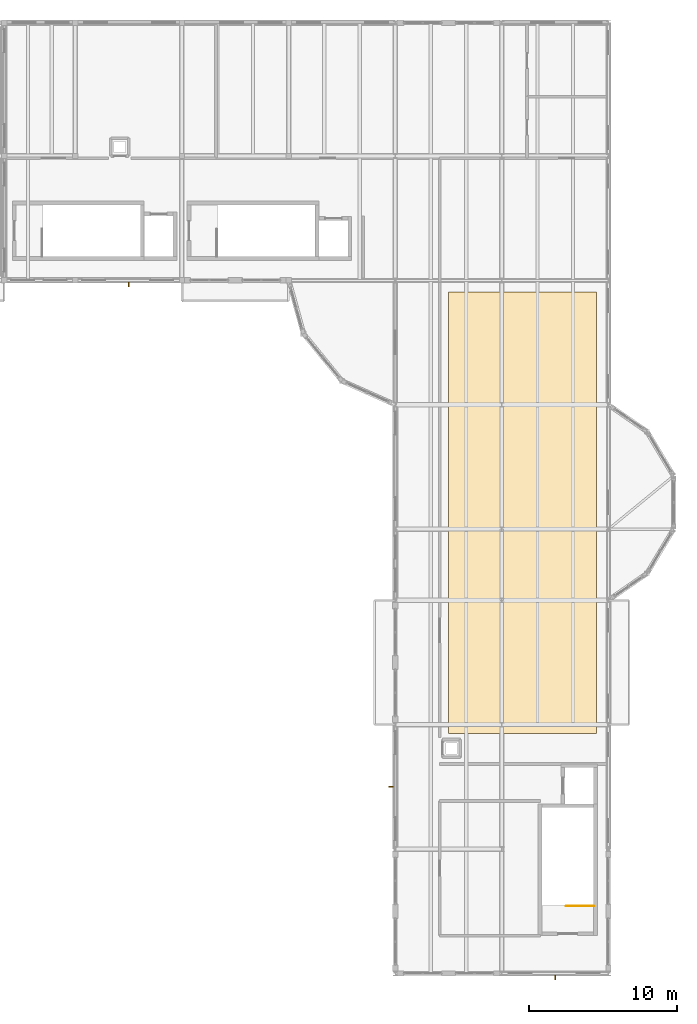
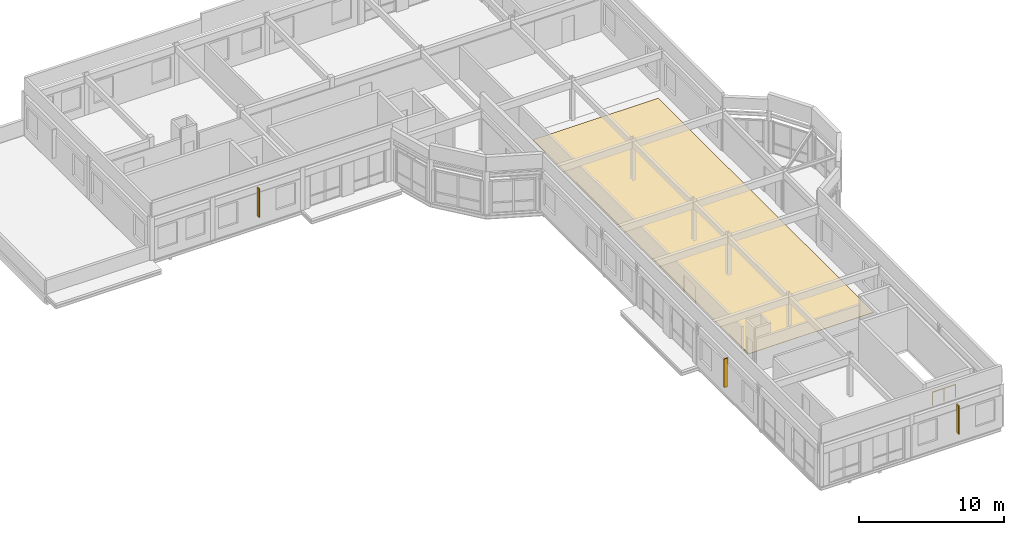
# One storey, part 20 of 21: 3 shading devices, 1 covering, 1 railing.
"""IFC4 building model written with IfcOpenShell, lengths in metres."""

from ifc_helpers import new_model, si_unit, direction, frame, origin, origin_2d, place, context, subcontext, project, spatial, polyline, rectangle, circle, outline, extrude, material, layer, layer_set, type_object, element, save


model = new_model("IFC4")

# Units and contexts
model_context = context("Model", 3, precision=1e-05, world=origin(), true_north=direction((0.0, 1.0)))
body_context = subcontext(model_context, "Body", "Model", "MODEL_VIEW")
ifc_project = project(units=[si_unit("LENGTHUNIT", "METRE"), si_unit("AREAUNIT", "SQUARE_METRE"), si_unit("VOLUMEUNIT", "CUBIC_METRE"), si_unit("PLANEANGLEUNIT", "RADIAN"), si_unit("MASSUNIT", "GRAM", prefix="KILO")], contexts=[model_context])

# Site, building, storey
site_placement = place(None, origin())
site = spatial("IfcSite", under=ifc_project, at=site_placement, CompositionType="ELEMENT")
building_placement = place(site_placement, origin())
building = spatial("IfcBuilding", under=site, at=building_placement, Name="Kahlenmark Community Centre", CompositionType="ELEMENT")
storey_placement = place(building_placement, frame((0.0, 0.0, 21.60009765625)))
storey = spatial("IfcBuildingStorey", under=building, at=storey_placement, Name="L05", CompositionType="ELEMENT", Elevation=21.60009765625)

# Covering
ifc_material_1 = material(Name="Oiled European oak parquet flooring")
ifc_layer = layer(ifc_material_1, 0.02490234375)
ifc_layer_set = layer_set([ifc_layer], Name="Oiled European oak parquet flooring")
covering_type = type_object("IfcCoveringType", Name="CVT-FLR-OAK", PredefinedType="FLOORING", material=ifc_layer_set)
covering_placement = place(storey_placement, origin())
element("IfcCovering", 1, at=covering_placement, inside=storey, type_object=covering_type, Name="European oak parquet flooring 08", PredefinedType="FLOORING", context=body_context, shape_type="SweptSolid", body=[
    extrude(outline(polyline([(76.0, 67.0), (86.0, 67.0), (86.0, 96.800048828125), (76.0, 96.800048828125), (76.0, 67.0)])), origin(), (0.0, 0.0, 1.0), 0.02490234375),
])

# Railing
ifc_material_2 = material(Name="Powder-coated steel stair well guard", Category="steel")
railing_type = type_object("IfcRailingType", Name="RLT-SG-1120", PredefinedType="GUARDRAIL", material=ifc_material_2)
railing_placement = place(storey_placement, frame((85.800048828125, 55.35009765625, 0.0)))
element("IfcRailing", 2, at=railing_placement, inside=storey, type_object=railing_type, Name="L05 ST-06 top well guard 1", PredefinedType="GUARDRAIL", context=body_context, shape_type="SweptSolid", body=[
    extrude(circle(Radius=0.02392578125, at=origin_2d()), frame((0.0, 0.0, 1.076171875), z_axis=(-1.0, 0.0, 0.0), x_axis=(0.0, -1.0, 0.0)), (0.0, 0.0, 1.0), 1.85009765625),
    extrude(circle(Radius=0.02099609375, at=origin_2d()), origin(), (0.0, 0.0, 1.0), 1.052001953125),
    extrude(circle(Radius=0.02099609375, at=origin_2d()), frame((-0.925048828125, 0.0, 0.0)), (0.0, 0.0, 1.0), 1.052001953125),
    extrude(circle(Radius=0.02099609375, at=origin_2d()), frame((-1.85009765625, 0.0, 0.0)), (0.0, 0.0, 1.0), 1.052001953125),
])

# Shading devices
ifc_material_3 = material(Name="Extruded warm terracotta solar fin", Category="masonry")
shading_device_type = type_object("IfcShadingDeviceType", Name="SDT-FIN-320", PredefinedType="NOTDEFINED", material=ifc_material_3)
for number, where, z_axis, x_axis, name in (
    (3, (54.39990234375, 97.320068359375, 0.800048828125), (0.0, 0.0, 1.0), (1.0, 0.0, 0.0), "Terracotta solar fin 0013"),
    (4, (83.199951171875, 50.52001953125, 0.800048828125), (0.0, 0.0, 1.0), (1.0, 0.0, 0.0), "Terracotta solar fin 0015"),
    (5, (72.1201171875, 63.39990234375, 0.800048828125), (0.0, 0.0, 1.0), (0.0, -1.0, 0.0), "Terracotta solar fin 0016"),
):
    element("IfcShadingDevice", number, at=place(storey_placement, frame(where, z_axis=z_axis, x_axis=x_axis)), inside=storey, type_object=shading_device_type, Name=name, PredefinedType="NOTDEFINED", context=body_context, shape_type="SweptSolid", body=[
        extrude(rectangle(XDim=0.080078125, YDim=0.320068359375, at=origin_2d()), origin(), (0.0, 0.0, 1.0), 2.39990234375),
    ])

save(model, "model.ifc")
